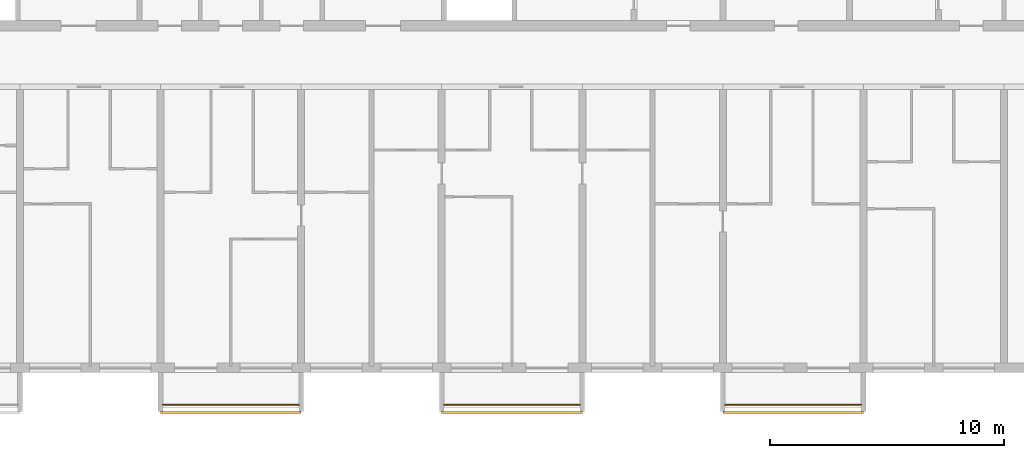
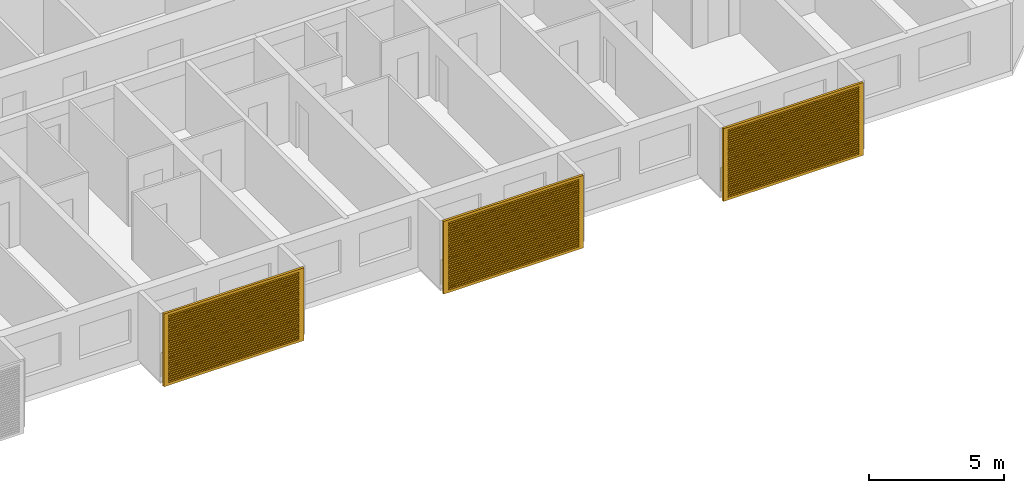
# One storey, part 16 of 33: 3 railings, 3 shading devices.
"""IFC4 building model written with IfcOpenShell, lengths in metres."""

from ifc_helpers import new_model, si_unit, direction, frame, origin, origin_2d, place, context, subcontext, project, spatial, polyline, circle, outline, extrude, source, transform, mapped, material, material_profile, profile_set, type_object, element, save


model = new_model("IFC4")

# Units and contexts
model_context = context("Model", 3, precision=1e-05, world=origin(), true_north=direction((0.0, 1.0)))
body_context = subcontext(model_context, "Body", "Model", "MODEL_VIEW")
ifc_project = project(units=[si_unit("LENGTHUNIT", "METRE"), si_unit("AREAUNIT", "SQUARE_METRE"), si_unit("VOLUMEUNIT", "CUBIC_METRE"), si_unit("PLANEANGLEUNIT", "RADIAN"), si_unit("MASSUNIT", "GRAM", prefix="KILO")], contexts=[model_context])

# Site, building, storey
site_placement = place(None, origin())
site = spatial("IfcSite", under=ifc_project, at=site_placement, CompositionType="ELEMENT")
building_placement = place(site_placement, origin())
building = spatial("IfcBuilding", under=site, at=building_placement, Name="Poui Terraces", CompositionType="ELEMENT")
storey_placement = place(building_placement, frame((0.0, 0.0, 138.89990234375)))
storey = spatial("IfcBuildingStorey", under=building, at=storey_placement, Name="L38", CompositionType="ELEMENT", Elevation=138.89990234375)

# Railings
ifc_material_1 = material(Name="Painted steel fretwork", Category="steel")
railing_type = type_object("IfcRailingType", Name="BALCONY GUARD 1100", PredefinedType="GUARDRAIL", material=ifc_material_1)
for number, where, name in (
    (1, (48.10009765625, -1.570068359375, 0.0), "BALCONY GUARD"),
    (2, (60.10009765625, -1.570068359375, 0.0), "BALCONY GUARD"),
    (3, (72.10009765625, -1.570068359375, 0.0), "BALCONY GUARD"),
):
    element("IfcRailing", number, at=place(storey_placement, frame(where)), inside=storey, type_object=railing_type, Name=name, PredefinedType="GUARDRAIL", context=body_context, shape_type="SweptSolid", body=[
        extrude(circle(Radius=0.02392578125, at=origin_2d()), frame((0.0, 0.0, 1.076171875), z_axis=(1.0, 0.0, 0.0), x_axis=(0.0, 1.0, 0.0)), (0.0, 0.0, 1.0), 5.7998046875),
        extrude(circle(Radius=0.02099609375, at=origin_2d()), origin(), (0.0, 0.0, 1.0), 1.052001953125),
        extrude(circle(Radius=0.02099609375, at=origin_2d()), frame((0.966552734375, 0.0, 0.0)), (0.0, 0.0, 1.0), 1.052001953125),
        extrude(circle(Radius=0.02099609375, at=origin_2d()), frame((1.933349609375, 0.0, 0.0)), (0.0, 0.0, 1.0), 1.052001953125),
        extrude(circle(Radius=0.02099609375, at=origin_2d()), frame((2.89990234375, 0.0, 0.0)), (0.0, 0.0, 1.0), 1.052001953125),
        extrude(circle(Radius=0.02099609375, at=origin_2d()), frame((3.866455078125, 0.0, 0.0)), (0.0, 0.0, 1.0), 1.052001953125),
        extrude(circle(Radius=0.02099609375, at=origin_2d()), frame((4.833251953125, 0.0, 0.0)), (0.0, 0.0, 1.0), 1.052001953125),
        extrude(circle(Radius=0.02099609375, at=origin_2d()), frame((5.7998046875, 0.0, 0.0)), (0.0, 0.0, 1.0), 1.052001953125),
    ])

# Shading devices
ifc_material_2 = material(Name="Aluminium louvre", Category="aluminium")
ifc_material_profile = material_profile(ifc_material_2, outline(polyline([(-3.0, -1.64990234375), (3.0, -1.64990234375), (3.0, 1.64990234375), (-3.0, 1.64990234375), (-3.0, -1.64990234375)]), holes=[polyline([(-2.800048828125, -1.530029296875), (2.800048828125, -1.530029296875), (2.800048828125, -1.469970703125), (-2.800048828125, -1.469970703125), (-2.800048828125, -1.530029296875)]), polyline([(-2.800048828125, -1.429931640625), (2.800048828125, -1.429931640625), (2.800048828125, -1.3701171875), (-2.800048828125, -1.3701171875), (-2.800048828125, -1.429931640625)]), polyline([(-2.800048828125, -1.330078125), (2.800048828125, -1.330078125), (2.800048828125, -1.27001953125), (-2.800048828125, -1.27001953125), (-2.800048828125, -1.330078125)]), polyline([(-2.800048828125, -1.22998046875), (2.800048828125, -1.22998046875), (2.800048828125, -1.169921875), (-2.800048828125, -1.169921875), (-2.800048828125, -1.22998046875)]), polyline([(-2.800048828125, -1.1298828125), (2.800048828125, -1.1298828125), (2.800048828125, -1.070068359375), (-2.800048828125, -1.070068359375), (-2.800048828125, -1.1298828125)]), polyline([(-2.800048828125, -1.030029296875), (2.800048828125, -1.030029296875), (2.800048828125, -0.969970703125), (-2.800048828125, -0.969970703125), (-2.800048828125, -1.030029296875)]), polyline([(-2.800048828125, -0.929931640625), (2.800048828125, -0.929931640625), (2.800048828125, -0.8701171875), (-2.800048828125, -0.8701171875), (-2.800048828125, -0.929931640625)]), polyline([(-2.800048828125, -0.830078125), (2.800048828125, -0.830078125), (2.800048828125, -0.77001953125), (-2.800048828125, -0.77001953125), (-2.800048828125, -0.830078125)]), polyline([(-2.800048828125, -0.72998046875), (2.800048828125, -0.72998046875), (2.800048828125, -0.669921875), (-2.800048828125, -0.669921875), (-2.800048828125, -0.72998046875)]), polyline([(-2.800048828125, -0.6298828125), (2.800048828125, -0.6298828125), (2.800048828125, -0.570068359375), (-2.800048828125, -0.570068359375), (-2.800048828125, -0.6298828125)]), polyline([(-2.800048828125, -0.530029296875), (2.800048828125, -0.530029296875), (2.800048828125, -0.469970703125), (-2.800048828125, -0.469970703125), (-2.800048828125, -0.530029296875)]), polyline([(-2.800048828125, -0.429931640625), (2.800048828125, -0.429931640625), (2.800048828125, -0.3701171875), (-2.800048828125, -0.3701171875), (-2.800048828125, -0.429931640625)]), polyline([(-2.800048828125, -0.330078125), (2.800048828125, -0.330078125), (2.800048828125, -0.27001953125), (-2.800048828125, -0.27001953125), (-2.800048828125, -0.330078125)]), polyline([(-2.800048828125, -0.22998046875), (2.800048828125, -0.22998046875), (2.800048828125, -0.169921875), (-2.800048828125, -0.169921875), (-2.800048828125, -0.22998046875)]), polyline([(-2.800048828125, -0.1298828125), (2.800048828125, -0.1298828125), (2.800048828125, -0.070068359375), (-2.800048828125, -0.070068359375), (-2.800048828125, -0.1298828125)]), polyline([(-2.800048828125, -0.030029296875), (2.800048828125, -0.030029296875), (2.800048828125, 0.030029296875), (-2.800048828125, 0.030029296875), (-2.800048828125, -0.030029296875)]), polyline([(-2.800048828125, 0.070068359375), (2.800048828125, 0.070068359375), (2.800048828125, 0.1298828125), (-2.800048828125, 0.1298828125), (-2.800048828125, 0.070068359375)]), polyline([(-2.800048828125, 0.169921875), (2.800048828125, 0.169921875), (2.800048828125, 0.22998046875), (-2.800048828125, 0.22998046875), (-2.800048828125, 0.169921875)]), polyline([(-2.800048828125, 0.27001953125), (2.800048828125, 0.27001953125), (2.800048828125, 0.330078125), (-2.800048828125, 0.330078125), (-2.800048828125, 0.27001953125)]), polyline([(-2.800048828125, 0.3701171875), (2.800048828125, 0.3701171875), (2.800048828125, 0.429931640625), (-2.800048828125, 0.429931640625), (-2.800048828125, 0.3701171875)]), polyline([(-2.800048828125, 0.469970703125), (2.800048828125, 0.469970703125), (2.800048828125, 0.530029296875), (-2.800048828125, 0.530029296875), (-2.800048828125, 0.469970703125)]), polyline([(-2.800048828125, 0.570068359375), (2.800048828125, 0.570068359375), (2.800048828125, 0.6298828125), (-2.800048828125, 0.6298828125), (-2.800048828125, 0.570068359375)]), polyline([(-2.800048828125, 0.669921875), (2.800048828125, 0.669921875), (2.800048828125, 0.72998046875), (-2.800048828125, 0.72998046875), (-2.800048828125, 0.669921875)]), polyline([(-2.800048828125, 0.77001953125), (2.800048828125, 0.77001953125), (2.800048828125, 0.830078125), (-2.800048828125, 0.830078125), (-2.800048828125, 0.77001953125)]), polyline([(-2.800048828125, 0.8701171875), (2.800048828125, 0.8701171875), (2.800048828125, 0.929931640625), (-2.800048828125, 0.929931640625), (-2.800048828125, 0.8701171875)]), polyline([(-2.800048828125, 0.969970703125), (2.800048828125, 0.969970703125), (2.800048828125, 1.030029296875), (-2.800048828125, 1.030029296875), (-2.800048828125, 0.969970703125)]), polyline([(-2.800048828125, 1.070068359375), (2.800048828125, 1.070068359375), (2.800048828125, 1.1298828125), (-2.800048828125, 1.1298828125), (-2.800048828125, 1.070068359375)]), polyline([(-2.800048828125, 1.169921875), (2.800048828125, 1.169921875), (2.800048828125, 1.22998046875), (-2.800048828125, 1.22998046875), (-2.800048828125, 1.169921875)]), polyline([(-2.800048828125, 1.27001953125), (2.800048828125, 1.27001953125), (2.800048828125, 1.330078125), (-2.800048828125, 1.330078125), (-2.800048828125, 1.27001953125)]), polyline([(-2.800048828125, 1.3701171875), (2.800048828125, 1.3701171875), (2.800048828125, 1.429931640625), (-2.800048828125, 1.429931640625), (-2.800048828125, 1.3701171875)]), polyline([(-2.800048828125, 1.469970703125), (2.800048828125, 1.469970703125), (2.800048828125, 1.530029296875), (-2.800048828125, 1.530029296875), (-2.800048828125, 1.469970703125)])]), Name="JALOUSIE LOUVRE SHUTTER 6000X3300")
ifc_profile_set = profile_set([ifc_material_profile], Name="Aluminium louvre")
shading_device_type = type_object("IfcShadingDeviceType", Name="JALOUSIE LOUVRE SHUTTER 6000X3300", PredefinedType="JALOUSIE", material=ifc_profile_set)
shared_shape = source(origin(), body_context, "Body", "SweptSolid", [
    extrude(outline(polyline([(-3.0, -1.64990234375), (3.0, -1.64990234375), (3.0, 1.64990234375), (-3.0, 1.64990234375), (-3.0, -1.64990234375)]), holes=[polyline([(-2.800048828125, -1.530029296875), (2.800048828125, -1.530029296875), (2.800048828125, -1.469970703125), (-2.800048828125, -1.469970703125), (-2.800048828125, -1.530029296875)]), polyline([(-2.800048828125, -1.429931640625), (2.800048828125, -1.429931640625), (2.800048828125, -1.3701171875), (-2.800048828125, -1.3701171875), (-2.800048828125, -1.429931640625)]), polyline([(-2.800048828125, -1.330078125), (2.800048828125, -1.330078125), (2.800048828125, -1.27001953125), (-2.800048828125, -1.27001953125), (-2.800048828125, -1.330078125)]), polyline([(-2.800048828125, -1.22998046875), (2.800048828125, -1.22998046875), (2.800048828125, -1.169921875), (-2.800048828125, -1.169921875), (-2.800048828125, -1.22998046875)]), polyline([(-2.800048828125, -1.1298828125), (2.800048828125, -1.1298828125), (2.800048828125, -1.070068359375), (-2.800048828125, -1.070068359375), (-2.800048828125, -1.1298828125)]), polyline([(-2.800048828125, -1.030029296875), (2.800048828125, -1.030029296875), (2.800048828125, -0.969970703125), (-2.800048828125, -0.969970703125), (-2.800048828125, -1.030029296875)]), polyline([(-2.800048828125, -0.929931640625), (2.800048828125, -0.929931640625), (2.800048828125, -0.8701171875), (-2.800048828125, -0.8701171875), (-2.800048828125, -0.929931640625)]), polyline([(-2.800048828125, -0.830078125), (2.800048828125, -0.830078125), (2.800048828125, -0.77001953125), (-2.800048828125, -0.77001953125), (-2.800048828125, -0.830078125)]), polyline([(-2.800048828125, -0.72998046875), (2.800048828125, -0.72998046875), (2.800048828125, -0.669921875), (-2.800048828125, -0.669921875), (-2.800048828125, -0.72998046875)]), polyline([(-2.800048828125, -0.6298828125), (2.800048828125, -0.6298828125), (2.800048828125, -0.570068359375), (-2.800048828125, -0.570068359375), (-2.800048828125, -0.6298828125)]), polyline([(-2.800048828125, -0.530029296875), (2.800048828125, -0.530029296875), (2.800048828125, -0.469970703125), (-2.800048828125, -0.469970703125), (-2.800048828125, -0.530029296875)]), polyline([(-2.800048828125, -0.429931640625), (2.800048828125, -0.429931640625), (2.800048828125, -0.3701171875), (-2.800048828125, -0.3701171875), (-2.800048828125, -0.429931640625)]), polyline([(-2.800048828125, -0.330078125), (2.800048828125, -0.330078125), (2.800048828125, -0.27001953125), (-2.800048828125, -0.27001953125), (-2.800048828125, -0.330078125)]), polyline([(-2.800048828125, -0.22998046875), (2.800048828125, -0.22998046875), (2.800048828125, -0.169921875), (-2.800048828125, -0.169921875), (-2.800048828125, -0.22998046875)]), polyline([(-2.800048828125, -0.1298828125), (2.800048828125, -0.1298828125), (2.800048828125, -0.070068359375), (-2.800048828125, -0.070068359375), (-2.800048828125, -0.1298828125)]), polyline([(-2.800048828125, -0.030029296875), (2.800048828125, -0.030029296875), (2.800048828125, 0.030029296875), (-2.800048828125, 0.030029296875), (-2.800048828125, -0.030029296875)]), polyline([(-2.800048828125, 0.070068359375), (2.800048828125, 0.070068359375), (2.800048828125, 0.1298828125), (-2.800048828125, 0.1298828125), (-2.800048828125, 0.070068359375)]), polyline([(-2.800048828125, 0.169921875), (2.800048828125, 0.169921875), (2.800048828125, 0.22998046875), (-2.800048828125, 0.22998046875), (-2.800048828125, 0.169921875)]), polyline([(-2.800048828125, 0.27001953125), (2.800048828125, 0.27001953125), (2.800048828125, 0.330078125), (-2.800048828125, 0.330078125), (-2.800048828125, 0.27001953125)]), polyline([(-2.800048828125, 0.3701171875), (2.800048828125, 0.3701171875), (2.800048828125, 0.429931640625), (-2.800048828125, 0.429931640625), (-2.800048828125, 0.3701171875)]), polyline([(-2.800048828125, 0.469970703125), (2.800048828125, 0.469970703125), (2.800048828125, 0.530029296875), (-2.800048828125, 0.530029296875), (-2.800048828125, 0.469970703125)]), polyline([(-2.800048828125, 0.570068359375), (2.800048828125, 0.570068359375), (2.800048828125, 0.6298828125), (-2.800048828125, 0.6298828125), (-2.800048828125, 0.570068359375)]), polyline([(-2.800048828125, 0.669921875), (2.800048828125, 0.669921875), (2.800048828125, 0.72998046875), (-2.800048828125, 0.72998046875), (-2.800048828125, 0.669921875)]), polyline([(-2.800048828125, 0.77001953125), (2.800048828125, 0.77001953125), (2.800048828125, 0.830078125), (-2.800048828125, 0.830078125), (-2.800048828125, 0.77001953125)]), polyline([(-2.800048828125, 0.8701171875), (2.800048828125, 0.8701171875), (2.800048828125, 0.929931640625), (-2.800048828125, 0.929931640625), (-2.800048828125, 0.8701171875)]), polyline([(-2.800048828125, 0.969970703125), (2.800048828125, 0.969970703125), (2.800048828125, 1.030029296875), (-2.800048828125, 1.030029296875), (-2.800048828125, 0.969970703125)]), polyline([(-2.800048828125, 1.070068359375), (2.800048828125, 1.070068359375), (2.800048828125, 1.1298828125), (-2.800048828125, 1.1298828125), (-2.800048828125, 1.070068359375)]), polyline([(-2.800048828125, 1.169921875), (2.800048828125, 1.169921875), (2.800048828125, 1.22998046875), (-2.800048828125, 1.22998046875), (-2.800048828125, 1.169921875)]), polyline([(-2.800048828125, 1.27001953125), (2.800048828125, 1.27001953125), (2.800048828125, 1.330078125), (-2.800048828125, 1.330078125), (-2.800048828125, 1.27001953125)]), polyline([(-2.800048828125, 1.3701171875), (2.800048828125, 1.3701171875), (2.800048828125, 1.429931640625), (-2.800048828125, 1.429931640625), (-2.800048828125, 1.3701171875)]), polyline([(-2.800048828125, 1.469970703125), (2.800048828125, 1.469970703125), (2.800048828125, 1.530029296875), (-2.800048828125, 1.530029296875), (-2.800048828125, 1.469970703125)])]), origin(), (0.0, 0.0, 1.0), 0.099853515625),
])
for number, where, z_axis, x_axis, name in (
    (4, (51.0, -1.85009765625, 1.4501953125), (0.0, -1.0, 0.0), (1.0, 0.0, 0.0), "JALOUSIE LOUVRE SHUTTER"),
    (5, (63.0, -1.85009765625, 1.4501953125), (0.0, -1.0, 0.0), (1.0, 0.0, 0.0), "JALOUSIE LOUVRE SHUTTER"),
    (6, (75.0, -1.85009765625, 1.4501953125), (0.0, -1.0, 0.0), (1.0, 0.0, 0.0), "JALOUSIE LOUVRE SHUTTER"),
):
    element("IfcShadingDevice", number, at=place(storey_placement, frame(where, z_axis=z_axis, x_axis=x_axis)), inside=storey, type_object=shading_device_type, Name=name, PredefinedType="JALOUSIE", context=body_context, shape_type="MappedRepresentation", body=[
        mapped(shared_shape, transform((0.0, 0.0, 0.0))),
    ])

save(model, "model.ifc")
